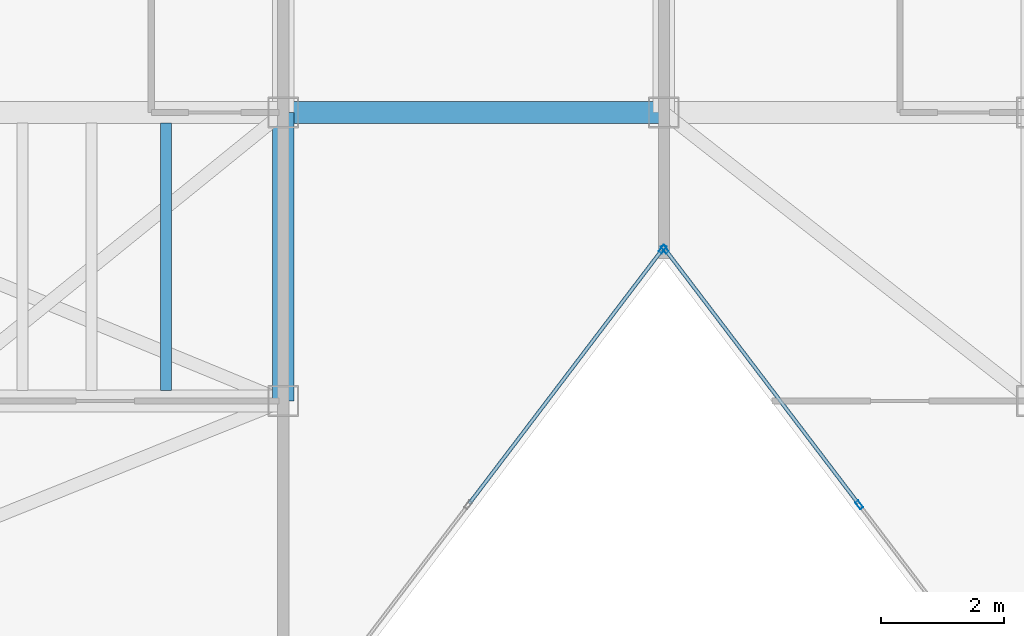
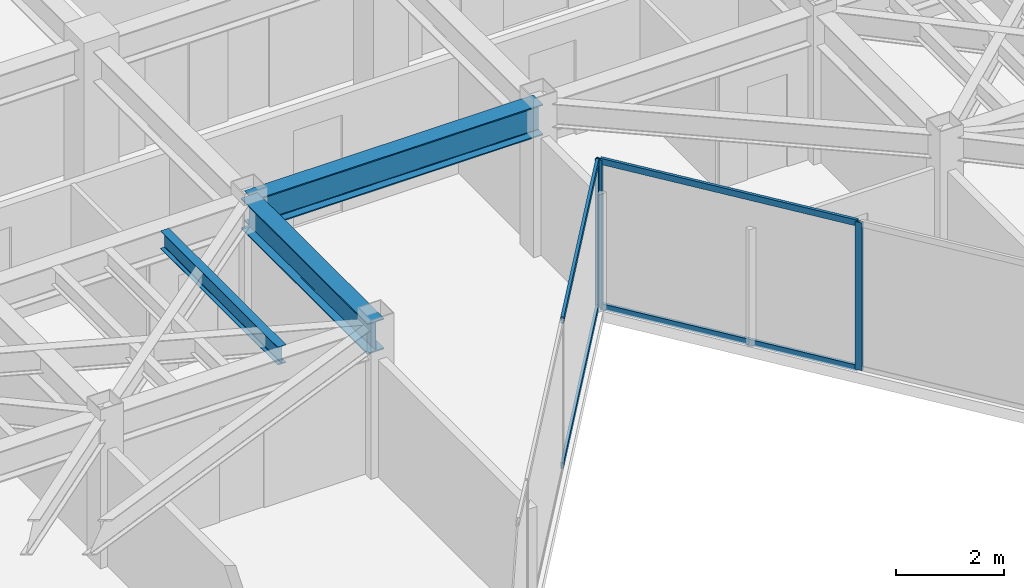
# One storey, part 8 of 20: 7 members, 3 beams, 2 elements without a shape of their own.
"""IFC4 building model written with IfcOpenShell, lengths in metres."""

from ifc_helpers import new_model, si_unit, direction, frame, origin, origin_2d, place, context, subcontext, project, spatial, hollow_rectangle, i_section, extrude, material, layer, layer_set, material_profile, profile_set, type_object, element, aggregate, save


model = new_model("IFC4")

# Units and contexts
model_context = context("Model", 3, precision=1e-05, world=origin(), true_north=direction((0.0, 1.0)))
body_context = subcontext(model_context, "Body", "Model", "MODEL_VIEW")
ifc_project = project(units=[si_unit("LENGTHUNIT", "METRE"), si_unit("AREAUNIT", "SQUARE_METRE"), si_unit("VOLUMEUNIT", "CUBIC_METRE"), si_unit("PLANEANGLEUNIT", "RADIAN"), si_unit("MASSUNIT", "GRAM", prefix="KILO")], contexts=[model_context])

# Site, building, storey
site_placement = place(None, origin())
site = spatial("IfcSite", under=ifc_project, at=site_placement, CompositionType="ELEMENT")
building_placement = place(site_placement, origin())
building = spatial("IfcBuilding", under=site, at=building_placement, Name="Kravanh Interchange Tower", CompositionType="ELEMENT")
storey_placement = place(building_placement, frame((0.0, 0.0, 241.800048828125)))
storey = spatial("IfcBuildingStorey", under=building, at=storey_placement, Name="L58", CompositionType="ELEMENT", Elevation=241.800048828125)

# Curtain wall, members
ifc_material_1 = material(Name="Anodised Bronze Aluminium", Category="aluminium")
ifc_layer = layer(ifc_material_1, 0.179931640625)
ifc_layer_set = layer_set([ifc_layer], Name="Unitised Curtain Wall System CW-HTL Luxury Hotel")
curtain_wall_type = type_object("IfcCurtainWallType", Name="Unitised Curtain Wall System CW-HTL Luxury Hotel", PredefinedType="NOTDEFINED", material=ifc_layer_set)
curtain_wall_1_placement = place(storey_placement, origin())
curtain_wall_1 = element("IfcCurtainWall", 1, at=curtain_wall_1_placement, inside=storey, type_object=curtain_wall_type, Name="L58 Unitised Curtain Wall CW-L58-04", PredefinedType="NOTDEFINED")
ifc_material_2 = material(Name="Anodised Bronze Aluminium", Category="aluminium")
ifc_material_profile_1 = material_profile(ifc_material_2, hollow_rectangle(XDim=0.06005859375, YDim=0.139892578125, WallThickness=0.00390625, at=origin_2d()), Name="ALU60X140X4")
ifc_profile_set_1 = profile_set([ifc_material_profile_1], Name="Anodised Bronze Aluminium")
member_type_1 = type_object("IfcMemberType", Name="Curtain Wall Mullion ALU60X140X4 Bronze", PredefinedType="MULLION", material=ifc_profile_set_1)
member_1_placement = place(storey_placement, frame((47.986572265625, 25.10546875, 0.0), z_axis=(0.0, 0.0, 1.0), x_axis=(-0.79616243806, -0.605082946564, 0.0)))
member_1 = element("IfcMember", 2, at=member_1_placement, type_object=member_type_1, Name="CW-HTL mullion 3", PredefinedType="MULLION", context=body_context, shape_type="SweptSolid", body=[
    extrude(hollow_rectangle(XDim=0.06005859375, YDim=0.139892578125, WallThickness=0.00390625, at=origin_2d()), origin(), (0.0, 0.0, 1.0), 3.349853515625),
])
member_2_placement = place(storey_placement, frame((44.818115234375, 29.2744140625, 0.0), z_axis=(0.0, 0.0, 1.0), x_axis=(-0.79616243806, -0.605082946564, 0.0)))
member_2 = element("IfcMember", 3, at=member_2_placement, type_object=member_type_1, Name="CW-HTL mullion 4", PredefinedType="MULLION", context=body_context, shape_type="SweptSolid", body=[
    extrude(hollow_rectangle(XDim=0.06005859375, YDim=0.139892578125, WallThickness=0.00390625, at=origin_2d()), origin(), (0.0, 0.0, 1.0), 3.349853515625),
])

# Curtain wall, member
curtain_wall_2_placement = place(storey_placement, origin())
curtain_wall_2 = element("IfcCurtainWall", 4, at=curtain_wall_2_placement, inside=storey, type_object=curtain_wall_type, Name="L58 Unitised Curtain Wall CW-L58-05", PredefinedType="NOTDEFINED")
member_3_placement = place(storey_placement, frame((44.78173828125, 29.2744140625, 0.0), z_axis=(0.0, 0.0, 1.0), x_axis=(0.79616243806, -0.605082946564, 0.0)))
member_3 = element("IfcMember", 5, at=member_3_placement, type_object=member_type_1, Name="CW-HTL mullion 1", PredefinedType="MULLION", context=body_context, shape_type="SweptSolid", body=[
    extrude(hollow_rectangle(XDim=0.06005859375, YDim=0.139892578125, WallThickness=0.00390625, at=origin_2d()), origin(), (0.0, 0.0, 1.0), 3.349853515625),
])

# Member
ifc_material_3 = material(Name="Anodised Bronze Aluminium", Category="aluminium")
ifc_material_profile_2 = material_profile(ifc_material_3, hollow_rectangle(XDim=0.06005859375, YDim=0.139892578125, WallThickness=0.00390625, at=origin_2d()), Name="ALU60X140X4")
ifc_profile_set_2 = profile_set([ifc_material_profile_2], Name="Anodised Bronze Aluminium")
member_type_2 = type_object("IfcMemberType", Name="Curtain Wall Transom ALU60X140X4 Bronze", PredefinedType="USERDEFINED", material=ifc_profile_set_2)
member_4_placement = place(storey_placement, frame((47.96826171875, 25.12939453125, 0.030029296875), z_axis=(-0.605059348861, 0.796180371747, 0.0), x_axis=(-0.796180371747, -0.605059348861, 0.0)))
member_4 = element("IfcMember", 6, at=member_4_placement, type_object=member_type_2, Name="CW-HTL transom 3.1", ObjectType="TRANSOM", PredefinedType="USERDEFINED", context=body_context, shape_type="SweptSolid", body=[
    extrude(hollow_rectangle(XDim=0.06005859375, YDim=0.139892578125, WallThickness=0.00390625, at=origin_2d()), origin(), (0.0, 0.0, 1.0), 5.176025390625),
])

member_5_placement = place(storey_placement, frame((47.96826171875, 25.12939453125, 3.320068359375), z_axis=(-0.605059348861, 0.796180371747, 0.0), x_axis=(-0.796180371747, -0.605059348861, 0.0)))
member_5 = element("IfcMember", 7, at=member_5_placement, type_object=member_type_2, Name="CW-HTL transom 3.2", ObjectType="TRANSOM", PredefinedType="USERDEFINED", context=body_context, shape_type="SweptSolid", body=[
    extrude(hollow_rectangle(XDim=0.06005859375, YDim=0.139892578125, WallThickness=0.00390625, at=origin_2d()), origin(), (0.0, 0.0, 1.0), 5.176025390625),
])

aggregate(curtain_wall_1, [member_1, member_2, member_4, member_5])

member_6_placement = place(storey_placement, frame((44.763671875, 29.25048828125, 0.030029296875), z_axis=(-0.605089246946, -0.796157649734, 0.0), x_axis=(0.796157649734, -0.605089246946, 0.0)))
member_6 = element("IfcMember", 8, at=member_6_placement, type_object=member_type_2, Name="CW-HTL transom 1.1", ObjectType="TRANSOM", PredefinedType="USERDEFINED", context=body_context, shape_type="SweptSolid", body=[
    extrude(hollow_rectangle(XDim=0.06005859375, YDim=0.139892578125, WallThickness=0.00390625, at=origin_2d()), origin(), (0.0, 0.0, 1.0), 5.17626953125),
])

member_7_placement = place(storey_placement, frame((44.763671875, 29.25048828125, 3.320068359375), z_axis=(-0.605089246946, -0.796157649734, 0.0), x_axis=(0.796157649734, -0.605089246946, 0.0)))
member_7 = element("IfcMember", 9, at=member_7_placement, type_object=member_type_2, Name="CW-HTL transom 1.2", ObjectType="TRANSOM", PredefinedType="USERDEFINED", context=body_context, shape_type="SweptSolid", body=[
    extrude(hollow_rectangle(XDim=0.06005859375, YDim=0.139892578125, WallThickness=0.00390625, at=origin_2d()), origin(), (0.0, 0.0, 1.0), 5.17626953125),
])

aggregate(curtain_wall_2, [member_3, member_6, member_7])

# Beams
ifc_material_4 = material(Name="Structural Steel S355", Category="steel")
ifc_material_profile_3 = material_profile(ifc_material_4, i_section(OverallWidth=0.35498046875, OverallDepth=0.696044921875, WebThickness=0.015380859375, FlangeThickness=0.02490234375, FilletRadius=0.02392578125, at=origin_2d()), Name="W27X146")
ifc_profile_set_3 = profile_set([ifc_material_profile_3], Name="Structural Steel S355")
beam_type_1 = type_object("IfcBeamType", Name="Floor Beam W27X146 Structural Steel S355", PredefinedType="BEAM", material=ifc_profile_set_3)
beam_1_placement = place(storey_placement, frame((44.800048828125, 31.5, 3.001953125), z_axis=(-1.0, 0.0, 0.0), x_axis=(0.0, -1.0, 0.0)))
element("IfcBeam", 10, at=beam_1_placement, inside=storey, type_object=beam_type_1, Name="L58 Primary Floor Girder 3", PredefinedType="BEAM", context=body_context, shape_type="SweptSolid", body=[
    extrude(i_section(OverallWidth=0.35498046875, OverallDepth=0.696044921875, WebThickness=0.015380859375, FlangeThickness=0.02490234375, FilletRadius=0.02392578125, at=origin_2d()), origin(), (0.0, 0.0, 1.0), 6.199951171875),
])
beam_2_placement = place(storey_placement, frame((38.60009765625, 31.5, 3.001953125), z_axis=(0.0, -1.0, 0.0), x_axis=(1.0, 0.0, 0.0)))
element("IfcBeam", 11, at=beam_2_placement, inside=storey, type_object=beam_type_1, Name="L58 Primary Floor Girder 17", PredefinedType="BEAM", context=body_context, shape_type="SweptSolid", body=[
    extrude(i_section(OverallWidth=0.35498046875, OverallDepth=0.696044921875, WebThickness=0.015380859375, FlangeThickness=0.02490234375, FilletRadius=0.02392578125, at=origin_2d()), origin(), (0.0, 0.0, 1.0), 4.699951171875),
])
ifc_material_5 = material(Name="Structural Steel S355", Category="steel")
ifc_material_profile_4 = material_profile(ifc_material_5, i_section(OverallWidth=0.177978515625, OverallDepth=0.406005859375, WebThickness=0.0078125, FlangeThickness=0.0126953125, FilletRadius=0.01611328125, at=origin_2d()), Name="W16X40")
ifc_profile_set_4 = profile_set([ifc_material_profile_4], Name="Structural Steel S355")
beam_type_2 = type_object("IfcBeamType", Name="Floor Joist W16X40 Structural Steel S355", PredefinedType="JOIST", material=ifc_profile_set_4)
beam_3_placement = place(storey_placement, frame((36.68994140625, 26.972412109375, 3.14697265625), z_axis=(0.0, 1.0, 0.0), x_axis=(-1.0, 0.0, 0.0)))
element("IfcBeam", 12, at=beam_3_placement, inside=storey, type_object=beam_type_2, Name="L58 Secondary Floor Joist 9", PredefinedType="JOIST", context=body_context, shape_type="SweptSolid", body=[
    extrude(i_section(OverallWidth=0.177978515625, OverallDepth=0.406005859375, WebThickness=0.0078125, FlangeThickness=0.0126953125, FilletRadius=0.01611328125, at=origin_2d()), origin(), (0.0, 0.0, 1.0), 4.35498046875),
])

save(model, "model.ifc")
